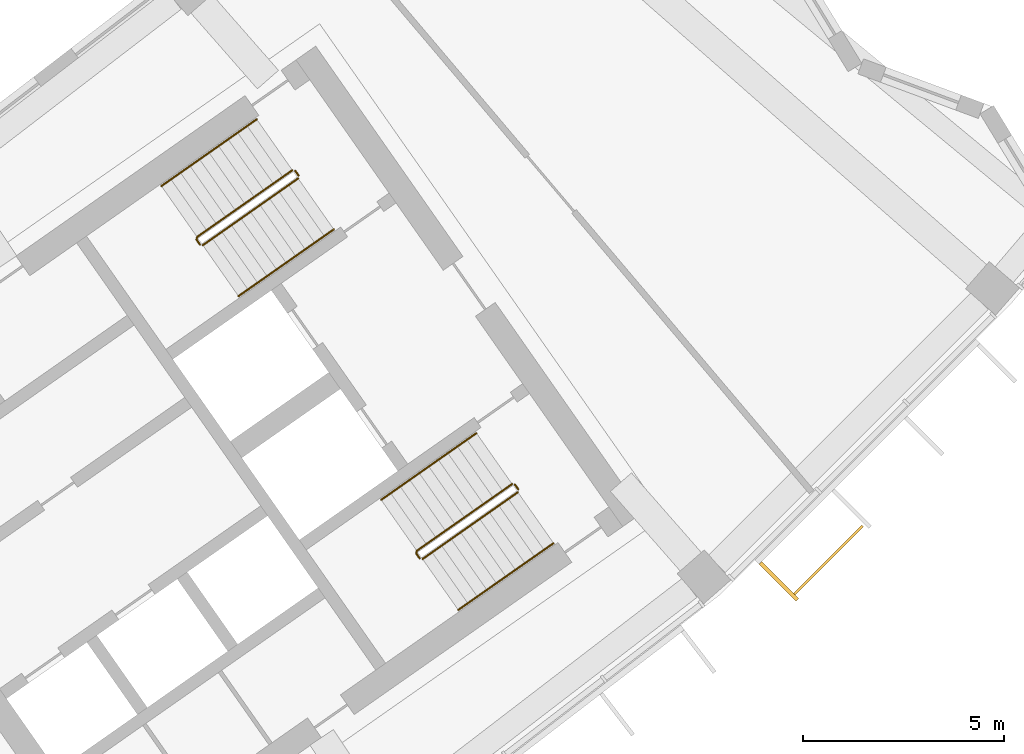
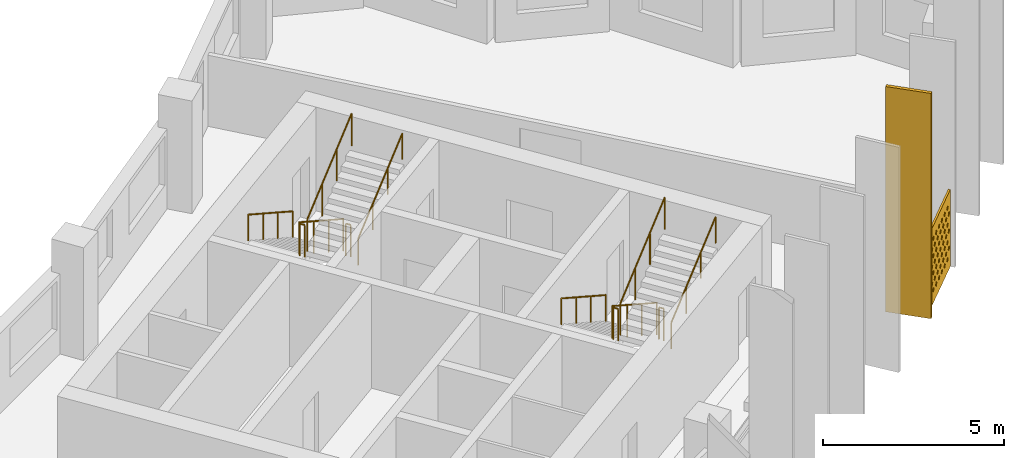
# One storey, part 27 of 28: 10 railings, 2 shading devices.
"""IFC4 building model written with IfcOpenShell, lengths in metres."""

from ifc_helpers import new_model, si_unit, direction, frame, origin, origin_2d, place, context, subcontext, project, spatial, polyline, rectangle, circle, outline, extrude, material, material_profile, profile_set, type_object, element, save


model = new_model("IFC4")

# Units and contexts
model_context = context("Model", 3, precision=1e-05, world=origin(), true_north=direction((0.0, 1.0)))
body_context = subcontext(model_context, "Body", "Model", "MODEL_VIEW")
ifc_project = project(units=[si_unit("LENGTHUNIT", "METRE"), si_unit("AREAUNIT", "SQUARE_METRE"), si_unit("VOLUMEUNIT", "CUBIC_METRE"), si_unit("PLANEANGLEUNIT", "RADIAN"), si_unit("MASSUNIT", "GRAM", prefix="KILO")], contexts=[model_context])

# Site, building, storey
site_placement = place(None, origin())
site = spatial("IfcSite", under=ifc_project, at=site_placement, CompositionType="ELEMENT")
building_placement = place(site_placement, origin())
building = spatial("IfcBuilding", under=site, at=building_placement, Name="Qamariyya Broadcast Tower", CompositionType="ELEMENT")
storey_placement = place(building_placement, frame((0.0, 0.0, 273.300048828125)))
storey = spatial("IfcBuildingStorey", under=building, at=storey_placement, Name="L66", CompositionType="ELEMENT", Elevation=273.300048828125)

# Shading device
ifc_material_1 = material(Name="Perforated glazed terracotta", Category="masonry")
ifc_material_profile_1 = material_profile(ifc_material_1, outline(polyline([(-1.199951171875, -1.300048828125), (1.199951171875, -1.300048828125), (1.199951171875, 1.300048828125), (-1.199951171875, 1.300048828125), (-1.199951171875, -1.300048828125)]), holes=[polyline([(-0.81494140625, -0.86669921875), (-0.89990234375, -0.78173828125), (-0.985107421875, -0.86669921875), (-0.89990234375, -0.95166015625), (-0.81494140625, -0.86669921875)]), polyline([(-0.514892578125, -0.86669921875), (-0.60009765625, -0.78173828125), (-0.68505859375, -0.86669921875), (-0.60009765625, -0.95166015625), (-0.514892578125, -0.86669921875)]), polyline([(-0.215087890625, -0.86669921875), (-0.300048828125, -0.78173828125), (-0.385009765625, -0.86669921875), (-0.300048828125, -0.95166015625), (-0.215087890625, -0.86669921875)]), polyline([(0.0849609375, -0.86669921875), (0.0, -0.78173828125), (-0.0849609375, -0.86669921875), (0.0, -0.95166015625), (0.0849609375, -0.86669921875)]), polyline([(0.385009765625, -0.86669921875), (0.300048828125, -0.78173828125), (0.215087890625, -0.86669921875), (0.300048828125, -0.95166015625), (0.385009765625, -0.86669921875)]), polyline([(0.68505859375, -0.86669921875), (0.60009765625, -0.78173828125), (0.514892578125, -0.86669921875), (0.60009765625, -0.95166015625), (0.68505859375, -0.86669921875)]), polyline([(0.985107421875, -0.86669921875), (0.89990234375, -0.78173828125), (0.81494140625, -0.86669921875), (0.89990234375, -0.95166015625), (0.985107421875, -0.86669921875)]), polyline([(-0.965087890625, -0.577880859375), (-1.050048828125, -0.49267578125), (-1.135009765625, -0.577880859375), (-1.050048828125, -0.662841796875), (-0.965087890625, -0.577880859375)]), polyline([(-0.6650390625, -0.577880859375), (-0.75, -0.49267578125), (-0.8349609375, -0.577880859375), (-0.75, -0.662841796875), (-0.6650390625, -0.577880859375)]), polyline([(-0.364990234375, -0.577880859375), (-0.449951171875, -0.49267578125), (-0.534912109375, -0.577880859375), (-0.449951171875, -0.662841796875), (-0.364990234375, -0.577880859375)]), polyline([(-0.06494140625, -0.577880859375), (-0.14990234375, -0.49267578125), (-0.235107421875, -0.577880859375), (-0.14990234375, -0.662841796875), (-0.06494140625, -0.577880859375)]), polyline([(0.235107421875, -0.577880859375), (0.14990234375, -0.49267578125), (0.06494140625, -0.577880859375), (0.14990234375, -0.662841796875), (0.235107421875, -0.577880859375)]), polyline([(0.534912109375, -0.577880859375), (0.449951171875, -0.49267578125), (0.364990234375, -0.577880859375), (0.449951171875, -0.662841796875), (0.534912109375, -0.577880859375)]), polyline([(0.8349609375, -0.577880859375), (0.75, -0.49267578125), (0.6650390625, -0.577880859375), (0.75, -0.662841796875), (0.8349609375, -0.577880859375)]), polyline([(1.135009765625, -0.577880859375), (1.050048828125, -0.49267578125), (0.965087890625, -0.577880859375), (1.050048828125, -0.662841796875), (1.135009765625, -0.577880859375)]), polyline([(-0.81494140625, -0.288818359375), (-0.89990234375, -0.203857421875), (-0.985107421875, -0.288818359375), (-0.89990234375, -0.373779296875), (-0.81494140625, -0.288818359375)]), polyline([(-0.514892578125, -0.288818359375), (-0.60009765625, -0.203857421875), (-0.68505859375, -0.288818359375), (-0.60009765625, -0.373779296875), (-0.514892578125, -0.288818359375)]), polyline([(-0.215087890625, -0.288818359375), (-0.300048828125, -0.203857421875), (-0.385009765625, -0.288818359375), (-0.300048828125, -0.373779296875), (-0.215087890625, -0.288818359375)]), polyline([(0.0849609375, -0.288818359375), (0.0, -0.203857421875), (-0.0849609375, -0.288818359375), (0.0, -0.373779296875), (0.0849609375, -0.288818359375)]), polyline([(0.385009765625, -0.288818359375), (0.300048828125, -0.203857421875), (0.215087890625, -0.288818359375), (0.300048828125, -0.373779296875), (0.385009765625, -0.288818359375)]), polyline([(0.68505859375, -0.288818359375), (0.60009765625, -0.203857421875), (0.514892578125, -0.288818359375), (0.60009765625, -0.373779296875), (0.68505859375, -0.288818359375)]), polyline([(0.985107421875, -0.288818359375), (0.89990234375, -0.203857421875), (0.81494140625, -0.288818359375), (0.89990234375, -0.373779296875), (0.985107421875, -0.288818359375)]), polyline([(-0.965087890625, 0.0), (-1.050048828125, 0.0849609375), (-1.135009765625, 0.0), (-1.050048828125, -0.0849609375), (-0.965087890625, 0.0)]), polyline([(-0.6650390625, 0.0), (-0.75, 0.0849609375), (-0.8349609375, 0.0), (-0.75, -0.0849609375), (-0.6650390625, 0.0)]), polyline([(-0.364990234375, 0.0), (-0.449951171875, 0.0849609375), (-0.534912109375, 0.0), (-0.449951171875, -0.0849609375), (-0.364990234375, 0.0)]), polyline([(-0.06494140625, 0.0), (-0.14990234375, 0.0849609375), (-0.235107421875, 0.0), (-0.14990234375, -0.0849609375), (-0.06494140625, 0.0)]), polyline([(0.235107421875, 0.0), (0.14990234375, 0.0849609375), (0.06494140625, 0.0), (0.14990234375, -0.0849609375), (0.235107421875, 0.0)]), polyline([(0.534912109375, 0.0), (0.449951171875, 0.0849609375), (0.364990234375, 0.0), (0.449951171875, -0.0849609375), (0.534912109375, 0.0)]), polyline([(0.8349609375, 0.0), (0.75, 0.0849609375), (0.6650390625, 0.0), (0.75, -0.0849609375), (0.8349609375, 0.0)]), polyline([(1.135009765625, 0.0), (1.050048828125, 0.0849609375), (0.965087890625, 0.0), (1.050048828125, -0.0849609375), (1.135009765625, 0.0)]), polyline([(-0.81494140625, 0.288818359375), (-0.89990234375, 0.373779296875), (-0.985107421875, 0.288818359375), (-0.89990234375, 0.203857421875), (-0.81494140625, 0.288818359375)]), polyline([(-0.514892578125, 0.288818359375), (-0.60009765625, 0.373779296875), (-0.68505859375, 0.288818359375), (-0.60009765625, 0.203857421875), (-0.514892578125, 0.288818359375)]), polyline([(-0.215087890625, 0.288818359375), (-0.300048828125, 0.373779296875), (-0.385009765625, 0.288818359375), (-0.300048828125, 0.203857421875), (-0.215087890625, 0.288818359375)]), polyline([(0.0849609375, 0.288818359375), (0.0, 0.373779296875), (-0.0849609375, 0.288818359375), (0.0, 0.203857421875), (0.0849609375, 0.288818359375)]), polyline([(0.385009765625, 0.288818359375), (0.300048828125, 0.373779296875), (0.215087890625, 0.288818359375), (0.300048828125, 0.203857421875), (0.385009765625, 0.288818359375)]), polyline([(0.68505859375, 0.288818359375), (0.60009765625, 0.373779296875), (0.514892578125, 0.288818359375), (0.60009765625, 0.203857421875), (0.68505859375, 0.288818359375)]), polyline([(0.985107421875, 0.288818359375), (0.89990234375, 0.373779296875), (0.81494140625, 0.288818359375), (0.89990234375, 0.203857421875), (0.985107421875, 0.288818359375)]), polyline([(-0.965087890625, 0.577880859375), (-1.050048828125, 0.662841796875), (-1.135009765625, 0.577880859375), (-1.050048828125, 0.49267578125), (-0.965087890625, 0.577880859375)]), polyline([(-0.6650390625, 0.577880859375), (-0.75, 0.662841796875), (-0.8349609375, 0.577880859375), (-0.75, 0.49267578125), (-0.6650390625, 0.577880859375)]), polyline([(-0.364990234375, 0.577880859375), (-0.449951171875, 0.662841796875), (-0.534912109375, 0.577880859375), (-0.449951171875, 0.49267578125), (-0.364990234375, 0.577880859375)]), polyline([(-0.06494140625, 0.577880859375), (-0.14990234375, 0.662841796875), (-0.235107421875, 0.577880859375), (-0.14990234375, 0.49267578125), (-0.06494140625, 0.577880859375)]), polyline([(0.235107421875, 0.577880859375), (0.14990234375, 0.662841796875), (0.06494140625, 0.577880859375), (0.14990234375, 0.49267578125), (0.235107421875, 0.577880859375)]), polyline([(0.534912109375, 0.577880859375), (0.449951171875, 0.662841796875), (0.364990234375, 0.577880859375), (0.449951171875, 0.49267578125), (0.534912109375, 0.577880859375)]), polyline([(0.8349609375, 0.577880859375), (0.75, 0.662841796875), (0.6650390625, 0.577880859375), (0.75, 0.49267578125), (0.8349609375, 0.577880859375)]), polyline([(1.135009765625, 0.577880859375), (1.050048828125, 0.662841796875), (0.965087890625, 0.577880859375), (1.050048828125, 0.49267578125), (1.135009765625, 0.577880859375)]), polyline([(-0.81494140625, 0.86669921875), (-0.89990234375, 0.95166015625), (-0.985107421875, 0.86669921875), (-0.89990234375, 0.78173828125), (-0.81494140625, 0.86669921875)]), polyline([(-0.514892578125, 0.86669921875), (-0.60009765625, 0.95166015625), (-0.68505859375, 0.86669921875), (-0.60009765625, 0.78173828125), (-0.514892578125, 0.86669921875)]), polyline([(-0.215087890625, 0.86669921875), (-0.300048828125, 0.95166015625), (-0.385009765625, 0.86669921875), (-0.300048828125, 0.78173828125), (-0.215087890625, 0.86669921875)]), polyline([(0.0849609375, 0.86669921875), (0.0, 0.95166015625), (-0.0849609375, 0.86669921875), (0.0, 0.78173828125), (0.0849609375, 0.86669921875)]), polyline([(0.385009765625, 0.86669921875), (0.300048828125, 0.95166015625), (0.215087890625, 0.86669921875), (0.300048828125, 0.78173828125), (0.385009765625, 0.86669921875)]), polyline([(0.68505859375, 0.86669921875), (0.60009765625, 0.95166015625), (0.514892578125, 0.86669921875), (0.60009765625, 0.78173828125), (0.68505859375, 0.86669921875)]), polyline([(0.985107421875, 0.86669921875), (0.89990234375, 0.95166015625), (0.81494140625, 0.86669921875), (0.89990234375, 0.78173828125), (0.985107421875, 0.86669921875)])]))
ifc_profile_set_1 = profile_set([ifc_material_profile_1], Name="Perforated glazed terracotta")
shading_device_type_1 = type_object("IfcShadingDeviceType", Name="Perforated terracotta screen 2400 x 2600", PredefinedType="USERDEFINED", material=ifc_profile_set_1)
shading_device_1_placement = place(storey_placement, frame((54.347412109375, -58.014892578125, 1.349853515625), z_axis=(0.707106781187, -0.707106781187, 0.0), x_axis=(0.707106781187, 0.707106781187, 0.0)))
element("IfcShadingDevice", 1, at=shading_device_1_placement, inside=storey, type_object=shading_device_type_1, Name="e-scr-L66-13-0", ObjectType="SCREEN", PredefinedType="USERDEFINED", context=body_context, shape_type="SweptSolid", body=[
    extrude(outline(polyline([(-1.199951171875, -1.300048828125), (1.199951171875, -1.300048828125), (1.199951171875, 1.300048828125), (-1.199951171875, 1.300048828125), (-1.199951171875, -1.300048828125)]), holes=[polyline([(-0.81494140625, -0.86669921875), (-0.89990234375, -0.78173828125), (-0.985107421875, -0.86669921875), (-0.89990234375, -0.95166015625), (-0.81494140625, -0.86669921875)]), polyline([(-0.514892578125, -0.86669921875), (-0.60009765625, -0.78173828125), (-0.68505859375, -0.86669921875), (-0.60009765625, -0.95166015625), (-0.514892578125, -0.86669921875)]), polyline([(-0.215087890625, -0.86669921875), (-0.300048828125, -0.78173828125), (-0.385009765625, -0.86669921875), (-0.300048828125, -0.95166015625), (-0.215087890625, -0.86669921875)]), polyline([(0.0849609375, -0.86669921875), (0.0, -0.78173828125), (-0.0849609375, -0.86669921875), (0.0, -0.95166015625), (0.0849609375, -0.86669921875)]), polyline([(0.385009765625, -0.86669921875), (0.300048828125, -0.78173828125), (0.215087890625, -0.86669921875), (0.300048828125, -0.95166015625), (0.385009765625, -0.86669921875)]), polyline([(0.68505859375, -0.86669921875), (0.60009765625, -0.78173828125), (0.514892578125, -0.86669921875), (0.60009765625, -0.95166015625), (0.68505859375, -0.86669921875)]), polyline([(0.985107421875, -0.86669921875), (0.89990234375, -0.78173828125), (0.81494140625, -0.86669921875), (0.89990234375, -0.95166015625), (0.985107421875, -0.86669921875)]), polyline([(-0.965087890625, -0.577880859375), (-1.050048828125, -0.49267578125), (-1.135009765625, -0.577880859375), (-1.050048828125, -0.662841796875), (-0.965087890625, -0.577880859375)]), polyline([(-0.6650390625, -0.577880859375), (-0.75, -0.49267578125), (-0.8349609375, -0.577880859375), (-0.75, -0.662841796875), (-0.6650390625, -0.577880859375)]), polyline([(-0.364990234375, -0.577880859375), (-0.449951171875, -0.49267578125), (-0.534912109375, -0.577880859375), (-0.449951171875, -0.662841796875), (-0.364990234375, -0.577880859375)]), polyline([(-0.06494140625, -0.577880859375), (-0.14990234375, -0.49267578125), (-0.235107421875, -0.577880859375), (-0.14990234375, -0.662841796875), (-0.06494140625, -0.577880859375)]), polyline([(0.235107421875, -0.577880859375), (0.14990234375, -0.49267578125), (0.06494140625, -0.577880859375), (0.14990234375, -0.662841796875), (0.235107421875, -0.577880859375)]), polyline([(0.534912109375, -0.577880859375), (0.449951171875, -0.49267578125), (0.364990234375, -0.577880859375), (0.449951171875, -0.662841796875), (0.534912109375, -0.577880859375)]), polyline([(0.8349609375, -0.577880859375), (0.75, -0.49267578125), (0.6650390625, -0.577880859375), (0.75, -0.662841796875), (0.8349609375, -0.577880859375)]), polyline([(1.135009765625, -0.577880859375), (1.050048828125, -0.49267578125), (0.965087890625, -0.577880859375), (1.050048828125, -0.662841796875), (1.135009765625, -0.577880859375)]), polyline([(-0.81494140625, -0.288818359375), (-0.89990234375, -0.203857421875), (-0.985107421875, -0.288818359375), (-0.89990234375, -0.373779296875), (-0.81494140625, -0.288818359375)]), polyline([(-0.514892578125, -0.288818359375), (-0.60009765625, -0.203857421875), (-0.68505859375, -0.288818359375), (-0.60009765625, -0.373779296875), (-0.514892578125, -0.288818359375)]), polyline([(-0.215087890625, -0.288818359375), (-0.300048828125, -0.203857421875), (-0.385009765625, -0.288818359375), (-0.300048828125, -0.373779296875), (-0.215087890625, -0.288818359375)]), polyline([(0.0849609375, -0.288818359375), (0.0, -0.203857421875), (-0.0849609375, -0.288818359375), (0.0, -0.373779296875), (0.0849609375, -0.288818359375)]), polyline([(0.385009765625, -0.288818359375), (0.300048828125, -0.203857421875), (0.215087890625, -0.288818359375), (0.300048828125, -0.373779296875), (0.385009765625, -0.288818359375)]), polyline([(0.68505859375, -0.288818359375), (0.60009765625, -0.203857421875), (0.514892578125, -0.288818359375), (0.60009765625, -0.373779296875), (0.68505859375, -0.288818359375)]), polyline([(0.985107421875, -0.288818359375), (0.89990234375, -0.203857421875), (0.81494140625, -0.288818359375), (0.89990234375, -0.373779296875), (0.985107421875, -0.288818359375)]), polyline([(-0.965087890625, 0.0), (-1.050048828125, 0.0849609375), (-1.135009765625, 0.0), (-1.050048828125, -0.0849609375), (-0.965087890625, 0.0)]), polyline([(-0.6650390625, 0.0), (-0.75, 0.0849609375), (-0.8349609375, 0.0), (-0.75, -0.0849609375), (-0.6650390625, 0.0)]), polyline([(-0.364990234375, 0.0), (-0.449951171875, 0.0849609375), (-0.534912109375, 0.0), (-0.449951171875, -0.0849609375), (-0.364990234375, 0.0)]), polyline([(-0.06494140625, 0.0), (-0.14990234375, 0.0849609375), (-0.235107421875, 0.0), (-0.14990234375, -0.0849609375), (-0.06494140625, 0.0)]), polyline([(0.235107421875, 0.0), (0.14990234375, 0.0849609375), (0.06494140625, 0.0), (0.14990234375, -0.0849609375), (0.235107421875, 0.0)]), polyline([(0.534912109375, 0.0), (0.449951171875, 0.0849609375), (0.364990234375, 0.0), (0.449951171875, -0.0849609375), (0.534912109375, 0.0)]), polyline([(0.8349609375, 0.0), (0.75, 0.0849609375), (0.6650390625, 0.0), (0.75, -0.0849609375), (0.8349609375, 0.0)]), polyline([(1.135009765625, 0.0), (1.050048828125, 0.0849609375), (0.965087890625, 0.0), (1.050048828125, -0.0849609375), (1.135009765625, 0.0)]), polyline([(-0.81494140625, 0.288818359375), (-0.89990234375, 0.373779296875), (-0.985107421875, 0.288818359375), (-0.89990234375, 0.203857421875), (-0.81494140625, 0.288818359375)]), polyline([(-0.514892578125, 0.288818359375), (-0.60009765625, 0.373779296875), (-0.68505859375, 0.288818359375), (-0.60009765625, 0.203857421875), (-0.514892578125, 0.288818359375)]), polyline([(-0.215087890625, 0.288818359375), (-0.300048828125, 0.373779296875), (-0.385009765625, 0.288818359375), (-0.300048828125, 0.203857421875), (-0.215087890625, 0.288818359375)]), polyline([(0.0849609375, 0.288818359375), (0.0, 0.373779296875), (-0.0849609375, 0.288818359375), (0.0, 0.203857421875), (0.0849609375, 0.288818359375)]), polyline([(0.385009765625, 0.288818359375), (0.300048828125, 0.373779296875), (0.215087890625, 0.288818359375), (0.300048828125, 0.203857421875), (0.385009765625, 0.288818359375)]), polyline([(0.68505859375, 0.288818359375), (0.60009765625, 0.373779296875), (0.514892578125, 0.288818359375), (0.60009765625, 0.203857421875), (0.68505859375, 0.288818359375)]), polyline([(0.985107421875, 0.288818359375), (0.89990234375, 0.373779296875), (0.81494140625, 0.288818359375), (0.89990234375, 0.203857421875), (0.985107421875, 0.288818359375)]), polyline([(-0.965087890625, 0.577880859375), (-1.050048828125, 0.662841796875), (-1.135009765625, 0.577880859375), (-1.050048828125, 0.49267578125), (-0.965087890625, 0.577880859375)]), polyline([(-0.6650390625, 0.577880859375), (-0.75, 0.662841796875), (-0.8349609375, 0.577880859375), (-0.75, 0.49267578125), (-0.6650390625, 0.577880859375)]), polyline([(-0.364990234375, 0.577880859375), (-0.449951171875, 0.662841796875), (-0.534912109375, 0.577880859375), (-0.449951171875, 0.49267578125), (-0.364990234375, 0.577880859375)]), polyline([(-0.06494140625, 0.577880859375), (-0.14990234375, 0.662841796875), (-0.235107421875, 0.577880859375), (-0.14990234375, 0.49267578125), (-0.06494140625, 0.577880859375)]), polyline([(0.235107421875, 0.577880859375), (0.14990234375, 0.662841796875), (0.06494140625, 0.577880859375), (0.14990234375, 0.49267578125), (0.235107421875, 0.577880859375)]), polyline([(0.534912109375, 0.577880859375), (0.449951171875, 0.662841796875), (0.364990234375, 0.577880859375), (0.449951171875, 0.49267578125), (0.534912109375, 0.577880859375)]), polyline([(0.8349609375, 0.577880859375), (0.75, 0.662841796875), (0.6650390625, 0.577880859375), (0.75, 0.49267578125), (0.8349609375, 0.577880859375)]), polyline([(1.135009765625, 0.577880859375), (1.050048828125, 0.662841796875), (0.965087890625, 0.577880859375), (1.050048828125, 0.49267578125), (1.135009765625, 0.577880859375)]), polyline([(-0.81494140625, 0.86669921875), (-0.89990234375, 0.95166015625), (-0.985107421875, 0.86669921875), (-0.89990234375, 0.78173828125), (-0.81494140625, 0.86669921875)]), polyline([(-0.514892578125, 0.86669921875), (-0.60009765625, 0.95166015625), (-0.68505859375, 0.86669921875), (-0.60009765625, 0.78173828125), (-0.514892578125, 0.86669921875)]), polyline([(-0.215087890625, 0.86669921875), (-0.300048828125, 0.95166015625), (-0.385009765625, 0.86669921875), (-0.300048828125, 0.78173828125), (-0.215087890625, 0.86669921875)]), polyline([(0.0849609375, 0.86669921875), (0.0, 0.95166015625), (-0.0849609375, 0.86669921875), (0.0, 0.78173828125), (0.0849609375, 0.86669921875)]), polyline([(0.385009765625, 0.86669921875), (0.300048828125, 0.95166015625), (0.215087890625, 0.86669921875), (0.300048828125, 0.78173828125), (0.385009765625, 0.86669921875)]), polyline([(0.68505859375, 0.86669921875), (0.60009765625, 0.95166015625), (0.514892578125, 0.86669921875), (0.60009765625, 0.78173828125), (0.68505859375, 0.86669921875)]), polyline([(0.985107421875, 0.86669921875), (0.89990234375, 0.95166015625), (0.81494140625, 0.86669921875), (0.89990234375, 0.78173828125), (0.985107421875, 0.86669921875)])]), origin(), (0.0, 0.0, 1.0), 0.06005859375),
])

# Railings
ifc_material_2 = material(Name="Painted steel", Category="steel")
railing_type_1 = type_object("IfcRailingType", Name="Stair guard", PredefinedType="GUARDRAIL", material=ifc_material_2)
railing_1_placement = place(storey_placement, frame((41.003173828125, -48.320068359375, 0.172607421875)))
element("IfcRailing", 2, at=railing_1_placement, inside=storey, type_object=railing_type_1, Name="L66 ST-E2 stair guard 1", PredefinedType="GUARDRAIL", context=body_context, shape_type="SweptSolid", body=[
    extrude(circle(Radius=0.02392578125, at=origin_2d()), frame((0.0, 0.0, 1.076171875), z_axis=(-0.703770094002, -0.492783725636, 0.511734163933), x_axis=(0.573575343427, -0.819152809562, 0.0)), (0.0, 0.0, 1.0), 3.37548828125),
    extrude(circle(Radius=0.02392578125, at=origin_2d()), frame((-2.37548828125, -1.663330078125, 2.80322265625), z_axis=(-0.172799478008, -0.984957024646, 0.0), x_axis=(0.984957024646, -0.172799478008, 0.0)), (0.0, 0.0, 1.0), 0.070556640625),
    extrude(circle(Radius=0.02392578125, at=origin_2d()), frame((-2.3876953125, -1.73291015625, 2.80322265625), z_axis=(0.572588637393, -0.819842821722, 0.0), x_axis=(0.819842821722, 0.572588637393, 0.0)), (0.0, 0.0, 1.0), 0.150146484375),
    extrude(circle(Radius=0.02099609375, at=origin_2d()), origin(), (0.0, 0.0, 1.0), 1.052001953125),
    extrude(circle(Radius=0.02099609375, at=origin_2d()), frame((-0.791748046875, -0.554443359375, 0.57568359375)), (0.0, 0.0, 1.0), 1.052001953125),
    extrude(circle(Radius=0.02099609375, at=origin_2d()), frame((-1.583740234375, -1.10888671875, 1.151611328125)), (0.0, 0.0, 1.0), 1.052001953125),
    extrude(circle(Radius=0.02099609375, at=origin_2d()), frame((-2.37548828125, -1.663330078125, 1.727294921875)), (0.0, 0.0, 1.0), 1.052001953125),
    extrude(circle(Radius=0.02099609375, at=origin_2d()), frame((-2.3876953125, -1.73291015625, 1.727294921875)), (0.0, 0.0, 1.0), 1.052001953125),
    extrude(circle(Radius=0.02099609375, at=origin_2d()), frame((-2.3017578125, -1.85595703125, 1.727294921875)), (0.0, 0.0, 1.0), 1.052001953125),
])
railing_2_placement = place(storey_placement, frame((38.771240234375, -50.188232421875, 2.07275390625)))
element("IfcRailing", 3, at=railing_2_placement, inside=storey, type_object=railing_type_1, Name="L66 ST-E2 stair guard 2", PredefinedType="GUARDRAIL", context=body_context, shape_type="SweptSolid", body=[
    extrude(circle(Radius=0.02392578125, at=origin_2d()), frame((0.0, 0.0, 1.076171875), z_axis=(0.703770094002, 0.492783725636, 0.511734163933), x_axis=(-0.573575343427, 0.819152809562, 0.0)), (0.0, 0.0, 1.0), 3.37548828125),
    extrude(circle(Radius=0.02099609375, at=origin_2d()), origin(), (0.0, 0.0, 1.0), 1.052001953125),
    extrude(circle(Radius=0.02099609375, at=origin_2d()), frame((0.791748046875, 0.554443359375, 0.57568359375)), (0.0, 0.0, 1.0), 1.052001953125),
    extrude(circle(Radius=0.02099609375, at=origin_2d()), frame((1.583740234375, 1.10888671875, 1.151611328125)), (0.0, 0.0, 1.0), 1.052001953125),
    extrude(circle(Radius=0.02099609375, at=origin_2d()), frame((2.37548828125, 1.663330078125, 1.727294921875)), (0.0, 0.0, 1.0), 1.052001953125),
])
railing_3_placement = place(storey_placement, frame((41.072998046875, -48.332275390625, 0.0)))
element("IfcRailing", 4, at=railing_3_placement, inside=storey, type_object=railing_type_1, Name="L66 ST-E2 stair guard 3", PredefinedType="GUARDRAIL", context=body_context, shape_type="SweptSolid", body=[
    extrude(circle(Radius=0.02392578125, at=origin_2d()), frame((0.0, 0.0, 1.076171875), z_axis=(0.572588637393, -0.819842821722, 0.0), x_axis=(0.819842821722, 0.572588637393, 0.0)), (0.0, 0.0, 1.0), 0.150146484375),
    extrude(circle(Radius=0.02099609375, at=origin_2d()), origin(), (0.0, 0.0, 1.0), 1.052001953125),
    extrude(circle(Radius=0.02099609375, at=origin_2d()), frame((0.0859375, -0.123046875, 0.0)), (0.0, 0.0, 1.0), 1.052001953125),
])
railing_4_placement = place(storey_placement, frame((46.48095703125, -56.14306640625, 0.172607421875)))
element("IfcRailing", 5, at=railing_4_placement, inside=storey, type_object=railing_type_1, Name="L66 ST-E1 stair guard 1", PredefinedType="GUARDRAIL", context=body_context, shape_type="SweptSolid", body=[
    extrude(circle(Radius=0.02392578125, at=origin_2d()), frame((0.0, 0.0, 1.076171875), z_axis=(-0.703770094002, -0.492783725636, 0.511734163933), x_axis=(0.573575343427, -0.819152809562, 0.0)), (0.0, 0.0, 1.0), 3.37548828125),
    extrude(circle(Radius=0.02392578125, at=origin_2d()), frame((-2.37548828125, -1.663330078125, 2.80322265625), z_axis=(-0.176149252506, -0.984363469884, 0.0), x_axis=(0.984363469884, -0.176149252506, 0.0)), (0.0, 0.0, 1.0), 0.07080078125),
    extrude(circle(Radius=0.02392578125, at=origin_2d()), frame((-2.387939453125, -1.73291015625, 2.80322265625), z_axis=(0.574444878118, -0.818543268254, 0.0), x_axis=(0.818543268254, 0.574444878118, 0.0)), (0.0, 0.0, 1.0), 0.150146484375),
    extrude(circle(Radius=0.02099609375, at=origin_2d()), origin(), (0.0, 0.0, 1.0), 1.052001953125),
    extrude(circle(Radius=0.02099609375, at=origin_2d()), frame((-0.791748046875, -0.554443359375, 0.57568359375)), (0.0, 0.0, 1.0), 1.052001953125),
    extrude(circle(Radius=0.02099609375, at=origin_2d()), frame((-1.583740234375, -1.10888671875, 1.151611328125)), (0.0, 0.0, 1.0), 1.052001953125),
    extrude(circle(Radius=0.02099609375, at=origin_2d()), frame((-2.37548828125, -1.663330078125, 1.727294921875)), (0.0, 0.0, 1.0), 1.052001953125),
    extrude(circle(Radius=0.02099609375, at=origin_2d()), frame((-2.387939453125, -1.73291015625, 1.727294921875)), (0.0, 0.0, 1.0), 1.052001953125),
    extrude(circle(Radius=0.02099609375, at=origin_2d()), frame((-2.3017578125, -1.855712890625, 1.727294921875)), (0.0, 0.0, 1.0), 1.052001953125),
])
railing_5_placement = place(storey_placement, frame((44.248779296875, -58.01123046875, 2.07275390625)))
element("IfcRailing", 6, at=railing_5_placement, inside=storey, type_object=railing_type_1, Name="L66 ST-E1 stair guard 2", PredefinedType="GUARDRAIL", context=body_context, shape_type="SweptSolid", body=[
    extrude(circle(Radius=0.02392578125, at=origin_2d()), frame((0.0, 0.0, 1.076171875), z_axis=(0.703745009021, 0.492838488332, 0.511715923826), x_axis=(-0.573631830683, 0.819113253969, 0.0)), (0.0, 0.0, 1.0), 3.37548828125),
    extrude(circle(Radius=0.02099609375, at=origin_2d()), origin(), (0.0, 0.0, 1.0), 1.052001953125),
    extrude(circle(Radius=0.02099609375, at=origin_2d()), frame((0.791748046875, 0.554443359375, 0.57568359375)), (0.0, 0.0, 1.0), 1.052001953125),
    extrude(circle(Radius=0.02099609375, at=origin_2d()), frame((1.583740234375, 1.109130859375, 1.151611328125)), (0.0, 0.0, 1.0), 1.052001953125),
    extrude(circle(Radius=0.02099609375, at=origin_2d()), frame((2.37548828125, 1.66357421875, 1.727294921875)), (0.0, 0.0, 1.0), 1.052001953125),
])
railing_6_placement = place(storey_placement, frame((46.550537109375, -56.1552734375, 0.0)))
element("IfcRailing", 7, at=railing_6_placement, inside=storey, type_object=railing_type_1, Name="L66 ST-E1 stair guard 3", PredefinedType="GUARDRAIL", context=body_context, shape_type="SweptSolid", body=[
    extrude(circle(Radius=0.02392578125, at=origin_2d()), frame((0.0, 0.0, 1.076171875), z_axis=(0.574444878118, -0.818543268254, 0.0), x_axis=(0.818543268254, 0.574444878118, 0.0)), (0.0, 0.0, 1.0), 0.150146484375),
    extrude(circle(Radius=0.02099609375, at=origin_2d()), origin(), (0.0, 0.0, 1.0), 1.052001953125),
    extrude(circle(Radius=0.02099609375, at=origin_2d()), frame((0.086181640625, -0.122802734375, 0.0)), (0.0, 0.0, 1.0), 1.052001953125),
])
ifc_material_3 = material(Name="Stainless steel", Category="steel")
railing_type_2 = type_object("IfcRailingType", Name="Stair handrail", PredefinedType="HANDRAIL", material=ifc_material_3)
railing_7_placement = place(storey_placement, frame((40.1142578125, -47.05029296875, 0.172607421875)))
element("IfcRailing", 8, at=railing_7_placement, inside=storey, type_object=railing_type_2, Name="L66 ST-E2 stair handrail 1", PredefinedType="HANDRAIL", context=body_context, shape_type="SweptSolid", body=[
    extrude(circle(Radius=0.02392578125, at=origin_2d()), frame((0.0, 0.0, 0.8759765625), z_axis=(-0.703745009021, -0.492838488332, 0.511715923826), x_axis=(0.573631830683, -0.819113253969, 0.0)), (0.0, 0.0, 1.0), 3.37548828125),
    extrude(circle(Radius=0.02099609375, at=origin_2d()), origin(), (0.0, 0.0, 1.0), 0.851806640625),
    extrude(circle(Radius=0.02099609375, at=origin_2d()), frame((-0.791748046875, -0.554443359375, 0.57568359375)), (0.0, 0.0, 1.0), 0.851806640625),
    extrude(circle(Radius=0.02099609375, at=origin_2d()), frame((-1.583740234375, -1.109130859375, 1.151611328125)), (0.0, 0.0, 1.0), 0.851806640625),
    extrude(circle(Radius=0.02099609375, at=origin_2d()), frame((-2.37548828125, -1.66357421875, 1.727294921875)), (0.0, 0.0, 1.0), 0.851806640625),
])
railing_8_placement = place(storey_placement, frame((39.66015625, -51.4580078125, 2.07275390625)))
element("IfcRailing", 9, at=railing_8_placement, inside=storey, type_object=railing_type_2, Name="L66 ST-E2 stair handrail 2", PredefinedType="HANDRAIL", context=body_context, shape_type="SweptSolid", body=[
    extrude(circle(Radius=0.02392578125, at=origin_2d()), frame((0.0, 0.0, 0.8759765625), z_axis=(0.703745009021, 0.492838488332, 0.511715923826), x_axis=(-0.573631830683, 0.819113253969, 0.0)), (0.0, 0.0, 1.0), 3.37548828125),
    extrude(circle(Radius=0.02099609375, at=origin_2d()), origin(), (0.0, 0.0, 1.0), 0.851806640625),
    extrude(circle(Radius=0.02099609375, at=origin_2d()), frame((0.791748046875, 0.554443359375, 0.57568359375)), (0.0, 0.0, 1.0), 0.851806640625),
    extrude(circle(Radius=0.02099609375, at=origin_2d()), frame((1.583740234375, 1.109130859375, 1.151611328125)), (0.0, 0.0, 1.0), 0.851806640625),
    extrude(circle(Radius=0.02099609375, at=origin_2d()), frame((2.37548828125, 1.66357421875, 1.727294921875)), (0.0, 0.0, 1.0), 0.851806640625),
])
railing_9_placement = place(storey_placement, frame((45.591796875, -54.873291015625, 0.172607421875)))
element("IfcRailing", 10, at=railing_9_placement, inside=storey, type_object=railing_type_2, Name="L66 ST-E1 stair handrail 1", PredefinedType="HANDRAIL", context=body_context, shape_type="SweptSolid", body=[
    extrude(circle(Radius=0.02392578125, at=origin_2d()), frame((0.0, 0.0, 0.8759765625), z_axis=(-0.703770094002, -0.492783725636, 0.511734163933), x_axis=(0.573575343427, -0.819152809562, 0.0)), (0.0, 0.0, 1.0), 3.37548828125),
    extrude(circle(Radius=0.02099609375, at=origin_2d()), origin(), (0.0, 0.0, 1.0), 0.851806640625),
    extrude(circle(Radius=0.02099609375, at=origin_2d()), frame((-0.791748046875, -0.554443359375, 0.57568359375)), (0.0, 0.0, 1.0), 0.851806640625),
    extrude(circle(Radius=0.02099609375, at=origin_2d()), frame((-1.583740234375, -1.10888671875, 1.151611328125)), (0.0, 0.0, 1.0), 0.851806640625),
    extrude(circle(Radius=0.02099609375, at=origin_2d()), frame((-2.37548828125, -1.663330078125, 1.727294921875)), (0.0, 0.0, 1.0), 0.851806640625),
])
railing_10_placement = place(storey_placement, frame((45.137939453125, -59.28076171875, 2.07275390625)))
element("IfcRailing", 11, at=railing_10_placement, inside=storey, type_object=railing_type_2, Name="L66 ST-E1 stair handrail 2", PredefinedType="HANDRAIL", context=body_context, shape_type="SweptSolid", body=[
    extrude(circle(Radius=0.02392578125, at=origin_2d()), frame((0.0, 0.0, 0.8759765625), z_axis=(0.703770094002, 0.492783725636, 0.511734163933), x_axis=(-0.573575343427, 0.819152809562, 0.0)), (0.0, 0.0, 1.0), 3.37548828125),
    extrude(circle(Radius=0.02099609375, at=origin_2d()), origin(), (0.0, 0.0, 1.0), 0.851806640625),
    extrude(circle(Radius=0.02099609375, at=origin_2d()), frame((0.791748046875, 0.554443359375, 0.57568359375)), (0.0, 0.0, 1.0), 0.851806640625),
    extrude(circle(Radius=0.02099609375, at=origin_2d()), frame((1.583740234375, 1.10888671875, 1.151611328125)), (0.0, 0.0, 1.0), 0.851806640625),
    extrude(circle(Radius=0.02099609375, at=origin_2d()), frame((2.37548828125, 1.663330078125, 1.727294921875)), (0.0, 0.0, 1.0), 0.851806640625),
])

# Shading device
ifc_material_4 = material(Name="Glazed terracotta", Category="masonry")
ifc_material_profile_2 = material_profile(ifc_material_4, rectangle(XDim=1.300048828125, YDim=0.10009765625, at=origin_2d()))
ifc_profile_set_2 = profile_set([ifc_material_profile_2], Name="Glazed terracotta")
shading_device_type_2 = type_object("IfcShadingDeviceType", Name="Terracotta fin 100 x 1300", PredefinedType="USERDEFINED", material=ifc_profile_set_2)
shading_device_2_placement = place(storey_placement, frame((53.13134765625, -58.56640625, 0.0), z_axis=(0.0, 0.0, 1.0), x_axis=(0.707106781187, -0.707106781187, 0.0)))
element("IfcShadingDevice", 12, at=shading_device_2_placement, inside=storey, type_object=shading_device_type_2, Name="e-fin-L66-13-0", ObjectType="FIN", PredefinedType="USERDEFINED", context=body_context, shape_type="SweptSolid", body=[
    extrude(rectangle(XDim=1.300048828125, YDim=0.10009765625, at=origin_2d()), origin(), (0.0, 0.0, 1.0), 7.599853515625),
])

save(model, "model.ifc")
